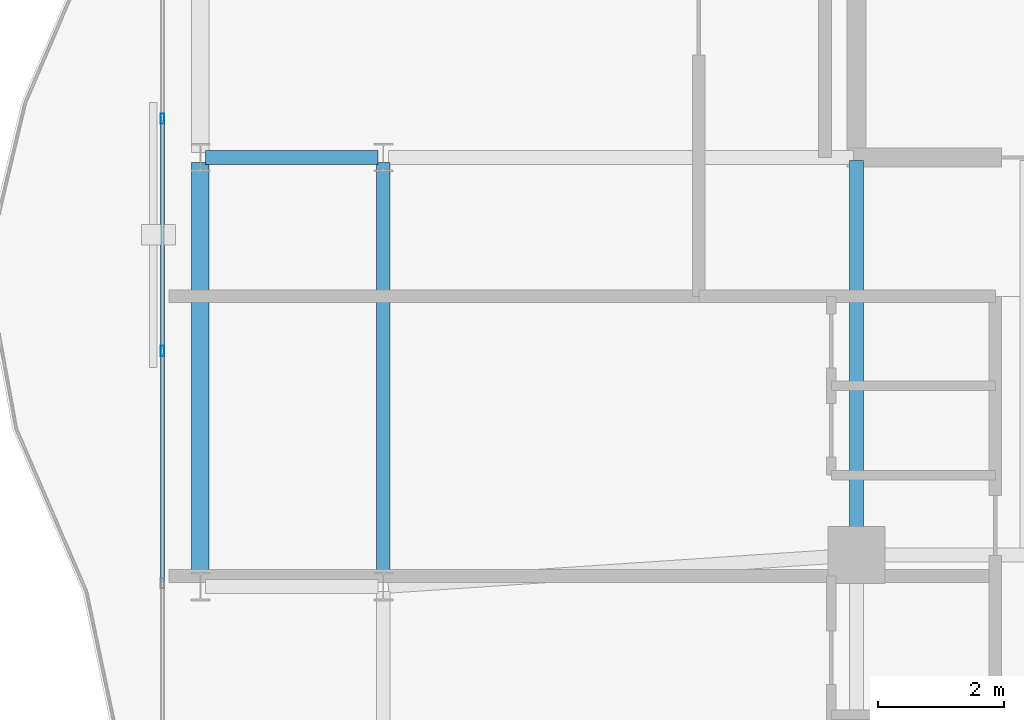
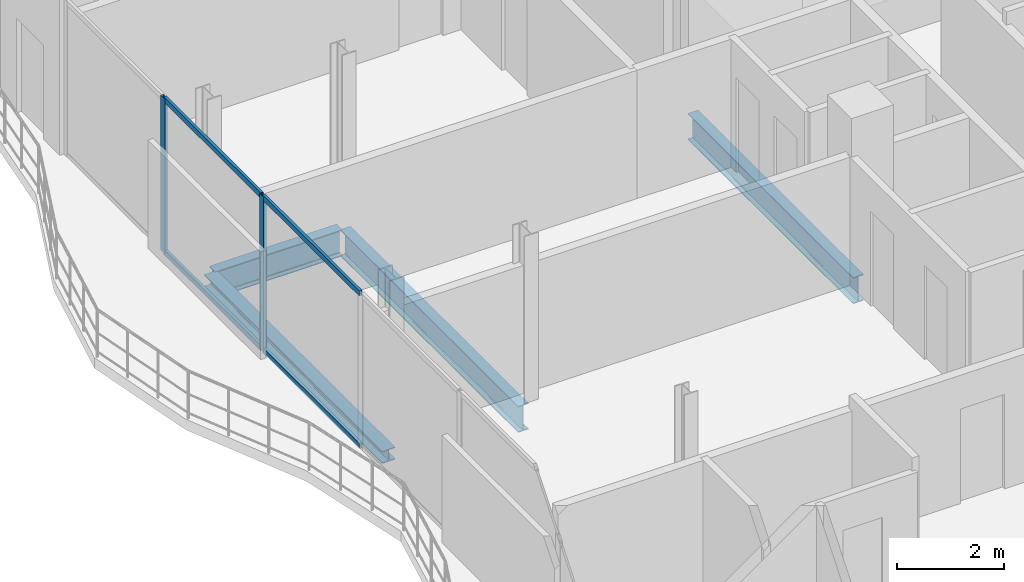
# One storey, part 10 of 22: 6 members, 4 beams, 1 element without a shape of its own.
"""IFC4 building model written with IfcOpenShell, lengths in metres."""

from ifc_helpers import new_model, si_unit, direction, frame, origin, origin_2d, place, context, subcontext, project, spatial, hollow_rectangle, i_section, extrude, material, layer, layer_set, material_profile, profile_set, type_object, element, aggregate, save


model = new_model("IFC4")

# Units and contexts
model_context = context("Model", 3, precision=1e-05, world=origin(), true_north=direction((0.0, 1.0)))
body_context = subcontext(model_context, "Body", "Model", "MODEL_VIEW")
ifc_project = project(units=[si_unit("LENGTHUNIT", "METRE"), si_unit("AREAUNIT", "SQUARE_METRE"), si_unit("VOLUMEUNIT", "CUBIC_METRE"), si_unit("PLANEANGLEUNIT", "RADIAN"), si_unit("MASSUNIT", "GRAM", prefix="KILO")], contexts=[model_context])

# Site, building, storey
site_placement = place(None, origin())
site = spatial("IfcSite", under=ifc_project, at=site_placement, CompositionType="ELEMENT")
building_placement = place(site_placement, origin())
building = spatial("IfcBuilding", under=site, at=building_placement, Name="Catumbela Crestline Tower", CompositionType="ELEMENT")
storey_placement = place(building_placement, frame((0.0, 0.0, 229.8)))
storey = spatial("IfcBuildingStorey", under=building, at=storey_placement, Name="L59", CompositionType="ELEMENT", Elevation=229.8)

# Beams
ifc_material_1 = material(Name="Structural steel S355J2", Category="steel")
ifc_material_profile_1 = material_profile(ifc_material_1, i_section(OverallWidth=0.22, OverallDepth=0.6, WebThickness=0.012, FlangeThickness=0.019, FilletRadius=0.024, at=origin_2d()), Name="IPE 600")
ifc_profile_set_1 = profile_set([ifc_material_profile_1], Name="Structural steel S355J2")
beam_type_1 = type_object("IfcBeamType", Name="BG-IPE600", PredefinedType="BEAM", material=ifc_profile_set_1)
beam_1_placement = place(storey_placement, frame((5.68, 30.8, -0.56), z_axis=(1.0, 0.0, 0.0), x_axis=(0.0, 1.0, 0.0)))
element("IfcBeam", 1, at=beam_1_placement, inside=storey, type_object=beam_type_1, Name="L59 Beam BM-L59-M06", PredefinedType="BEAM", context=body_context, shape_type="SweptSolid", body=[
    extrude(i_section(OverallWidth=0.22, OverallDepth=0.6, WebThickness=0.012, FlangeThickness=0.019, FilletRadius=0.024, at=origin_2d()), origin(), (0.0, 0.0, 1.0), 2.74),
])
beam_2_placement = place(storey_placement, frame((8.5, 24.08, -0.56), z_axis=(0.0, 1.0, 0.0), x_axis=(-1.0, 0.0, 0.0)))
element("IfcBeam", 2, at=beam_2_placement, inside=storey, type_object=beam_type_1, Name="L59 Beam BM-L59-SN14", PredefinedType="BEAM", context=body_context, shape_type="SweptSolid", body=[
    extrude(i_section(OverallWidth=0.22, OverallDepth=0.6, WebThickness=0.012, FlangeThickness=0.019, FilletRadius=0.024, at=origin_2d()), origin(), (0.0, 0.0, 1.0), 6.64),
])
beam_3_placement = place(storey_placement, frame((16.0, 24.58, -0.56), z_axis=(0.0, 1.0, 0.0), x_axis=(-1.0, 0.0, 0.0)))
element("IfcBeam", 3, at=beam_3_placement, inside=storey, type_object=beam_type_1, Name="L59 Beam BM-L59-SNS15", PredefinedType="BEAM", context=body_context, shape_type="SweptSolid", body=[
    extrude(i_section(OverallWidth=0.22, OverallDepth=0.6, WebThickness=0.012, FlangeThickness=0.019, FilletRadius=0.024, at=origin_2d()), origin(), (0.0, 0.0, 1.0), 6.17),
])

# Curtain wall, members
ifc_material_2 = material(Name="Aluminium alloy AW-6060-T66", Category="aluminium")
ifc_layer = layer(ifc_material_2, 0.18, Name="Aluminium alloy AW-6060-T66")
ifc_layer_set = layer_set([ifc_layer], Name="Aluminium alloy AW-6060-T66")
curtain_wall_type = type_object("IfcCurtainWallType", Name="CWU-Z4", PredefinedType="USERDEFINED", material=ifc_layer_set)
curtain_wall_placement = place(storey_placement, origin())
curtain_wall = element("IfcCurtainWall", 4, at=curtain_wall_placement, inside=storey, type_object=curtain_wall_type, Name="L59 Unitised Curtain Wall CW-L59-E9S2", ObjectType="UNITISED", PredefinedType="USERDEFINED")
ifc_material_profile_2 = material_profile(ifc_material_2, hollow_rectangle(XDim=0.06, YDim=0.16, WallThickness=0.004, at=origin_2d()), Name="ALU 160x60x4")
ifc_profile_set_2 = profile_set([ifc_material_profile_2], Name="Aluminium alloy AW-6060-T66")
member_type_1 = type_object("IfcMemberType", Name="MUL-160X60", PredefinedType="MULLION", material=ifc_profile_set_2)
member_1_placement = place(storey_placement, frame((5.0, 31.4167, 0.0), z_axis=(0.0, 0.0, 1.0), x_axis=(1.0, 0.0, 0.0)))
member_1 = element("IfcMember", 5, at=member_1_placement, type_object=member_type_1, Name="CWU-Z4 mullion 2", PredefinedType="MULLION", context=body_context, shape_type="SweptSolid", body=[
    extrude(hollow_rectangle(XDim=0.06, YDim=0.16, WallThickness=0.004, at=origin_2d()), origin(), (0.0, 0.0, 1.0), 3.53),
])
member_2_placement = place(storey_placement, frame((5.0, 27.7333, 0.0), z_axis=(0.0, 0.0, 1.0), x_axis=(1.0, 0.0, 0.0)))
member_2 = element("IfcMember", 6, at=member_2_placement, type_object=member_type_1, Name="CWU-Z4 mullion 3", PredefinedType="MULLION", context=body_context, shape_type="SweptSolid", body=[
    extrude(hollow_rectangle(XDim=0.06, YDim=0.16, WallThickness=0.004, at=origin_2d()), origin(), (0.0, 0.0, 1.0), 3.53),
])

# Beam
ifc_material_profile_3 = material_profile(ifc_material_1, i_section(OverallWidth=0.28, OverallDepth=0.28, WebThickness=0.0105, FlangeThickness=0.018, FilletRadius=0.024, at=origin_2d()), Name="HEB 280")
ifc_profile_set_3 = profile_set([ifc_material_profile_3], Name="Structural steel S355J2")
beam_type_2 = type_object("IfcBeamType", Name="BS-HEB280", PredefinedType="SPANDREL", material=ifc_profile_set_3)
beam_4_placement = place(storey_placement, frame((5.6, 24.08, -0.4), z_axis=(0.0, 1.0, 0.0), x_axis=(-1.0, 0.0, 0.0)))
element("IfcBeam", 7, at=beam_4_placement, inside=storey, type_object=beam_type_2, Name="L59 Spandrel SP-L59-SN12", PredefinedType="SPANDREL", context=body_context, shape_type="SweptSolid", body=[
    extrude(i_section(OverallWidth=0.28, OverallDepth=0.28, WebThickness=0.0105, FlangeThickness=0.018, FilletRadius=0.024, at=origin_2d()), origin(), (0.0, 0.0, 1.0), 6.64),
])

# Member
ifc_material_profile_4 = material_profile(ifc_material_2, hollow_rectangle(XDim=0.06, YDim=0.12, WallThickness=0.0035, at=origin_2d()), Name="ALU 120x60x3.5")
ifc_profile_set_4 = profile_set([ifc_material_profile_4], Name="Aluminium alloy AW-6060-T66")
member_type_2 = type_object("IfcMemberType", Name="TRN-120X60", PredefinedType="USERDEFINED", material=ifc_profile_set_4)
member_3_placement = place(storey_placement, frame((5.0, 31.3842, 0.03), z_axis=(0.0, -1.0, 0.0), x_axis=(1.0, 0.0, 0.0)))
member_3 = element("IfcMember", 8, at=member_3_placement, type_object=member_type_2, Name="CWU-Z4 transom 2.1", ObjectType="TRANSOM", PredefinedType="USERDEFINED", context=body_context, shape_type="SweptSolid", body=[
    extrude(hollow_rectangle(XDim=0.06, YDim=0.12, WallThickness=0.0035, at=origin_2d()), origin(), (0.0, 0.0, 1.0), 3.6184),
])

member_4_placement = place(storey_placement, frame((5.0, 31.3842, 3.5), z_axis=(0.0, -1.0, 0.0), x_axis=(1.0, 0.0, 0.0)))
member_4 = element("IfcMember", 9, at=member_4_placement, type_object=member_type_2, Name="CWU-Z4 transom 2.2", ObjectType="TRANSOM", PredefinedType="USERDEFINED", context=body_context, shape_type="SweptSolid", body=[
    extrude(hollow_rectangle(XDim=0.06, YDim=0.12, WallThickness=0.0035, at=origin_2d()), origin(), (0.0, 0.0, 1.0), 3.6184),
])

member_5_placement = place(storey_placement, frame((5.0, 27.7008, 0.03), z_axis=(0.0, -1.0, 0.0), x_axis=(1.0, 0.0, 0.0)))
member_5 = element("IfcMember", 10, at=member_5_placement, type_object=member_type_2, Name="CWU-Z4 transom 3.1", ObjectType="TRANSOM", PredefinedType="USERDEFINED", context=body_context, shape_type="SweptSolid", body=[
    extrude(hollow_rectangle(XDim=0.06, YDim=0.12, WallThickness=0.0035, at=origin_2d()), origin(), (0.0, 0.0, 1.0), 3.6183),
])

member_6_placement = place(storey_placement, frame((5.0, 27.7008, 3.5), z_axis=(0.0, -1.0, 0.0), x_axis=(1.0, 0.0, 0.0)))
member_6 = element("IfcMember", 11, at=member_6_placement, type_object=member_type_2, Name="CWU-Z4 transom 3.2", ObjectType="TRANSOM", PredefinedType="USERDEFINED", context=body_context, shape_type="SweptSolid", body=[
    extrude(hollow_rectangle(XDim=0.06, YDim=0.12, WallThickness=0.0035, at=origin_2d()), origin(), (0.0, 0.0, 1.0), 3.6183),
])

aggregate(curtain_wall, [member_1, member_2, member_3, member_4, member_5, member_6])

save(model, "model.ifc")
